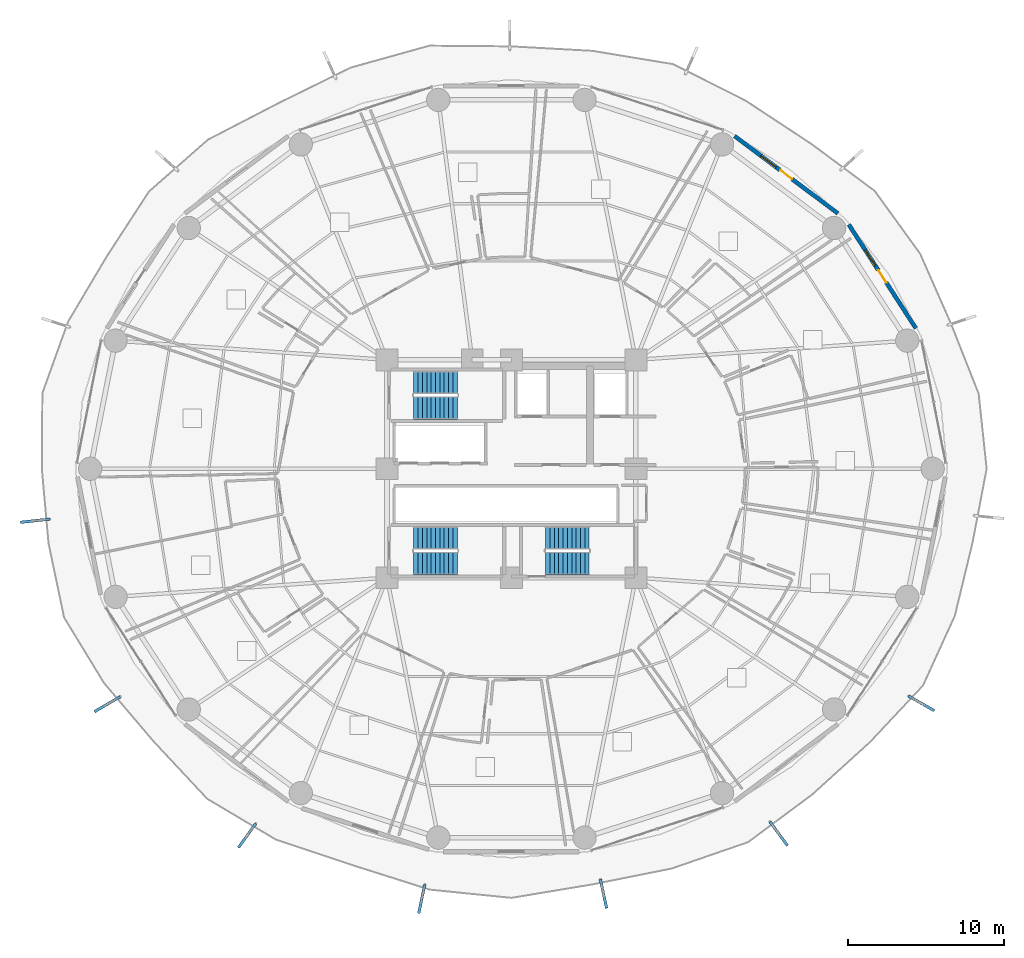
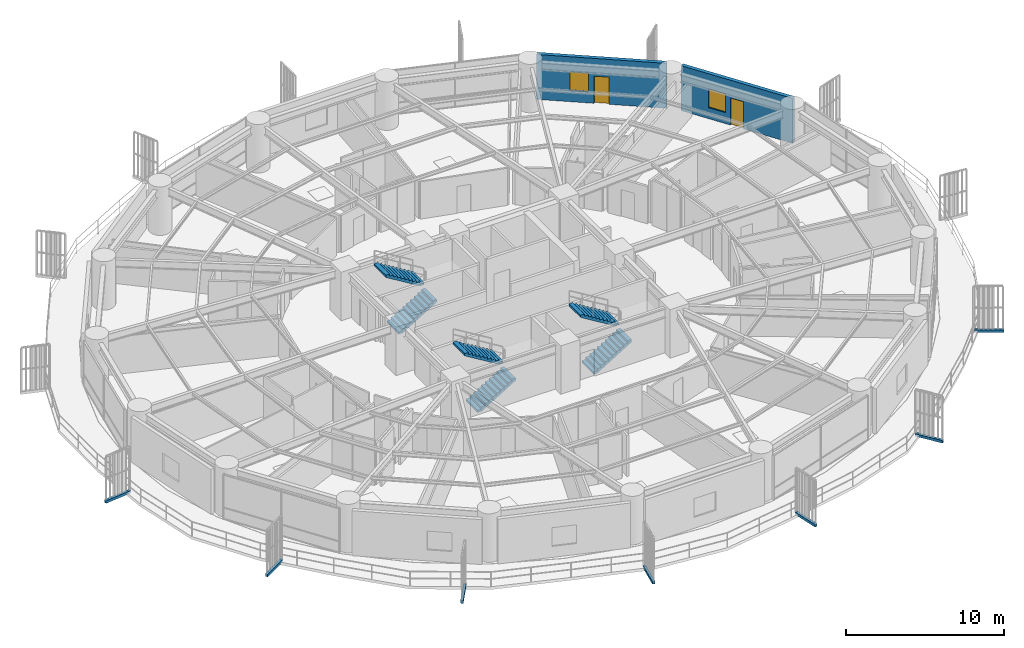
# One storey, part 27 of 33: 7 discrete accessories, 6 stair flights, 2 doors, 2 walls, 2 windows, 4 openings, 3 elements without a shape of their own.
"""IFC4 building model written with IfcOpenShell, lengths in metres."""

from ifc_helpers import new_model, si_unit, direction, frame, frame_2d, origin, origin_2d, place, context, subcontext, project, spatial, polyline, rectangle, outline, extrude, source, transform, mapped, material, layer, layer_set, type_object, element, fill, aggregate, save


model = new_model("IFC4")

# Units and contexts
model_context = context("Model", 3, precision=1e-05, world=origin(), true_north=direction((0.0, 1.0)))
body_context = subcontext(model_context, "Body", "Model", "MODEL_VIEW")
ifc_project = project(units=[si_unit("LENGTHUNIT", "METRE"), si_unit("AREAUNIT", "SQUARE_METRE"), si_unit("VOLUMEUNIT", "CUBIC_METRE"), si_unit("PLANEANGLEUNIT", "RADIAN"), si_unit("MASSUNIT", "GRAM", prefix="KILO")], contexts=[model_context])

# Site, building, storey
site_placement = place(None, origin())
site = spatial("IfcSite", under=ifc_project, at=site_placement, CompositionType="ELEMENT")
building_placement = place(site_placement, origin())
building = spatial("IfcBuilding", under=site, at=building_placement, Name="Kelanora Arch Commons", CompositionType="ELEMENT")
storey_placement = place(building_placement, frame((0.0, 0.0, 41.25)))
storey = spatial("IfcBuildingStorey", under=building, at=storey_placement, Name="L10", CompositionType="ELEMENT", Elevation=41.25)

# Wall, openings, door, window
ifc_material_1 = material(Name="Precast concrete C40/50 with terracotta rainscreen", Category="masonry")
ifc_layer = layer(ifc_material_1, 0.260009765625)
ifc_layer_set = layer_set([ifc_layer], Name="Precast concrete C40/50 with terracotta rainscreen")
wall_type = type_object("IfcWallType", Name="W-EXT-TC", PredefinedType="SOLIDWALL", material=ifc_layer_set)
wall_1_placement = place(storey_placement, frame((99.999267578125, 67.033203125, 0.0), z_axis=(0.0, 0.0, 1.0), x_axis=(-0.543005114258, 0.839729388488, 0.0)))
wall_1 = element("IfcWall", 1, at=wall_1_placement, inside=storey, type_object=wall_type, Name="Terracotta Exterior Wall L10-B01", PredefinedType="SOLIDWALL", context=body_context, shape_type="SweptSolid", body=[
    extrude(rectangle(XDim=7.9375, YDim=0.260009765625, at=frame_2d((3.96875, 0.0))), origin(), (0.0, 0.0, 1.0), 3.47509765625),
])
opening_1_placement = place(wall_1_placement, frame((3.493896484375, 0.0, 0.0)))
opening_1 = element("IfcOpeningElement", 2, at=opening_1_placement, cuts=wall_1, Name="Opening DB-01", PredefinedType="OPENING", context=body_context, shape_type="SweptSolid", body=[
    extrude(rectangle(XDim=0.949951171875, YDim=2.10009765625, at=frame_2d((0.47509765625, 1.050048828125))), frame((0.0, 0.14013671875, 0.0), z_axis=(0.0, -1.0, 0.0), x_axis=(1.0, 0.0, 0.0)), (0.0, 0.0, 1.0), 0.280029296875),
])
opening_2_placement = place(wall_1_placement, frame((4.7939453125, 0.0, 0.85009765625)))
opening_2 = element("IfcOpeningElement", 3, at=opening_2_placement, cuts=wall_1, Name="Opening WN-02", PredefinedType="OPENING", context=body_context, shape_type="SweptSolid", body=[
    extrude(rectangle(XDim=1.199951171875, YDim=1.449951171875, at=frame_2d((0.60009765625, 0.72509765625))), frame((0.0, 0.14013671875, 0.0), z_axis=(0.0, -1.0, 0.0), x_axis=(1.0, 0.0, 0.0)), (0.0, 0.0, 1.0), 0.280029296875),
])
ifc_material_2 = material(Name="Terracotta-aluminium thermally broken glazed balcony door", Category="masonry")
door_type = type_object("IfcDoorType", Name="D-BAL-10", OperationType="NOTDEFINED", PredefinedType="DOOR", material=ifc_material_2)
door_1_placement = place(opening_1_placement, frame((0.949951171875, 0.0, 0.0), z_axis=(0.0, 0.0, 1.0), x_axis=(-1.0, 0.0, 0.0)))
door_1 = element("IfcDoor", 4, at=door_1_placement, inside=storey, type_object=door_type, Name="Wave Balcony Door L10-B01", OperationType="SINGLE_SWING_RIGHT", OverallHeight=2.10009765625, OverallWidth=0.949951171875, PredefinedType="DOOR", context=body_context, shape_type="SweptSolid", body=[
    extrude(rectangle(XDim=0.949951171875, YDim=2.10009765625, at=frame_2d((0.47509765625, 1.050048828125))), frame((0.0, 0.02490234375, 0.0), z_axis=(0.0, -1.0, 0.0), x_axis=(1.0, 0.0, 0.0)), (0.0, 0.0, 1.0), 0.050048828125),
])
fill(opening_1, door_1)
ifc_material_3 = material(Name="Terracotta-anodised aluminium frame with operable awning sash", Category="masonry")
window_type = type_object("IfcWindowType", Name="WIN-CL-12", PartitioningType="SINGLE_PANEL", PredefinedType="WINDOW", material=ifc_material_3)
window_1_placement = place(opening_2_placement, origin())
window_1 = element("IfcWindow", 5, at=window_1_placement, inside=storey, type_object=window_type, Name="Co-Living Operable Window L10-B01", OverallHeight=1.449951171875, OverallWidth=1.199951171875, PartitioningType="SINGLE_PANEL", PredefinedType="WINDOW", context=body_context, shape_type="SweptSolid", body=[
    extrude(rectangle(XDim=1.199951171875, YDim=1.449951171875, at=frame_2d((0.60009765625, 0.72509765625))), frame((0.0, 0.030029296875, 0.0), z_axis=(0.0, -1.0, 0.0), x_axis=(1.0, 0.0, 0.0)), (0.0, 0.0, 1.0), 0.06005859375),
])
fill(opening_2, window_1)

wall_2_placement = place(storey_placement, frame((94.98388671875, 74.418212890625, 0.0), z_axis=(0.0, 0.0, 1.0), x_axis=(-0.80030733173, 0.599590005569, 0.0)))
wall_2 = element("IfcWall", 6, at=wall_2_placement, inside=storey, type_object=wall_type, Name="Terracotta Exterior Wall L10-B02", PredefinedType="SOLIDWALL", context=body_context, shape_type="SweptSolid", body=[
    extrude(rectangle(XDim=8.29052734375, YDim=0.260009765625, at=frame_2d((4.145263671875, 0.0))), origin(), (0.0, 0.0, 1.0), 3.47509765625),
])
opening_3_placement = place(wall_2_placement, frame((3.669921875, 0.0, 0.0)))
opening_3 = element("IfcOpeningElement", 7, at=opening_3_placement, cuts=wall_2, Name="Opening DB-01", PredefinedType="OPENING", context=body_context, shape_type="SweptSolid", body=[
    extrude(rectangle(XDim=0.949951171875, YDim=2.10009765625, at=frame_2d((0.47509765625, 1.050048828125))), frame((0.0, 0.14013671875, 0.0), z_axis=(0.0, -1.0, 0.0), x_axis=(1.0, 0.0, 0.0)), (0.0, 0.0, 1.0), 0.280029296875),
])
opening_4_placement = place(wall_2_placement, frame((4.969970703125, 0.0, 0.85009765625)))
opening_4 = element("IfcOpeningElement", 8, at=opening_4_placement, cuts=wall_2, Name="Opening WN-02", PredefinedType="OPENING", context=body_context, shape_type="SweptSolid", body=[
    extrude(rectangle(XDim=1.199951171875, YDim=1.449951171875, at=frame_2d((0.60009765625, 0.72509765625))), frame((0.0, 0.14013671875, 0.0), z_axis=(0.0, -1.0, 0.0), x_axis=(1.0, 0.0, 0.0)), (0.0, 0.0, 1.0), 0.280029296875),
])
door_2_placement = place(opening_3_placement, frame((0.949951171875, 0.0, 0.0), z_axis=(0.0, 0.0, 1.0), x_axis=(-1.0, 0.0, 0.0)))
door_2 = element("IfcDoor", 9, at=door_2_placement, inside=storey, type_object=door_type, Name="Wave Balcony Door L10-B02", OperationType="SINGLE_SWING_LEFT", OverallHeight=2.10009765625, OverallWidth=0.949951171875, PredefinedType="DOOR", context=body_context, shape_type="SweptSolid", body=[
    extrude(rectangle(XDim=0.949951171875, YDim=2.10009765625, at=frame_2d((0.47509765625, 1.050048828125))), frame((0.0, 0.02490234375, 0.0), z_axis=(0.0, -1.0, 0.0), x_axis=(1.0, 0.0, 0.0)), (0.0, 0.0, 1.0), 0.050048828125),
])
fill(opening_3, door_2)
window_2_placement = place(opening_4_placement, origin())
window_2 = element("IfcWindow", 10, at=window_2_placement, inside=storey, type_object=window_type, Name="Co-Living Operable Window L10-B02", OverallHeight=1.449951171875, OverallWidth=1.199951171875, PartitioningType="SINGLE_PANEL", PredefinedType="WINDOW", context=body_context, shape_type="SweptSolid", body=[
    extrude(rectangle(XDim=1.199951171875, YDim=1.449951171875, at=frame_2d((0.60009765625, 0.72509765625))), frame((0.0, 0.030029296875, 0.0), z_axis=(0.0, -1.0, 0.0), x_axis=(1.0, 0.0, 0.0)), (0.0, 0.0, 1.0), 0.06005859375),
])
fill(opening_4, window_2)

# Stair, stair flights
ifc_material_4 = material(Name="Concrete C40/50", Category="concrete")
stair_type = type_object("IfcStairType", Name="STR-DL-375", PredefinedType="HALF_TURN_STAIR", material=ifc_material_4)
stair_1_placement = place(storey_placement, origin())
stair_1 = element("IfcStair", 11, at=stair_1_placement, inside=storey, type_object=stair_type, Name="L10 ST-T1", PredefinedType="HALF_TURN_STAIR")
stair_flight_type = type_object("IfcStairFlightType", Name="FLT-DL-375", PredefinedType="STRAIGHT", material=ifc_material_4)
stair_flight_1_placement = place(storey_placement, frame((67.719970703125, 61.919921875, 0.0), z_axis=(0.0, 0.0, 1.0), x_axis=(1.0, 0.0, 0.0)))
stair_flight_1 = element("IfcStairFlight", 12, at=stair_flight_1_placement, type_object=stair_flight_type, Name="ST-T1 flight 1", NumberOfRisers=11, NumberOfTreads=10, PredefinedType="STRAIGHT", RiserHeight=0.170454545, TreadLength=0.28, context=body_context, shape_type="SweptSolid", body=[
    extrude(outline(polyline([(0.0, 0.0), (0.0, 0.17041015625), (0.280029296875, 0.17041015625), (0.280029296875, 0.3408203125), (0.56005859375, 0.3408203125), (0.56005859375, 0.511474609375), (0.840087890625, 0.511474609375), (0.840087890625, 0.681884765625), (1.1201171875, 0.681884765625), (1.1201171875, 0.852294921875), (1.39990234375, 0.852294921875), (1.39990234375, 1.022705078125), (1.679931640625, 1.022705078125), (1.679931640625, 1.193115234375), (1.9599609375, 1.193115234375), (1.9599609375, 1.363525390625), (2.239990234375, 1.363525390625), (2.239990234375, 1.5341796875), (2.52001953125, 1.5341796875), (2.52001953125, 1.70458984375), (2.800048828125, 1.70458984375), (2.800048828125, 1.875), (2.800048828125, 1.529052734375), (0.288330078125, 0.0), (0.0, 0.0)])), frame((0.0, 0.739990234375, 0.0), z_axis=(0.0, -1.0, 0.0), x_axis=(1.0, 0.0, 0.0)), (0.0, 0.0, 1.0), 1.47998046875),
])
stair_flight_2_placement = place(storey_placement, frame((70.52001953125, 63.550048828125, 1.875), z_axis=(0.0, 0.0, 1.0), x_axis=(-1.0, 0.0, 0.0)))
stair_flight_2 = element("IfcStairFlight", 13, at=stair_flight_2_placement, type_object=stair_flight_type, Name="ST-T1 flight 2", NumberOfRisers=11, NumberOfTreads=10, PredefinedType="STRAIGHT", RiserHeight=0.170454545, TreadLength=0.28, context=body_context, shape_type="SweptSolid", body=[
    extrude(outline(polyline([(0.0, 0.0), (0.0, 0.17041015625), (0.280029296875, 0.17041015625), (0.280029296875, 0.3408203125), (0.56005859375, 0.3408203125), (0.56005859375, 0.511474609375), (0.840087890625, 0.511474609375), (0.840087890625, 0.681884765625), (1.1201171875, 0.681884765625), (1.1201171875, 0.852294921875), (1.39990234375, 0.852294921875), (1.39990234375, 1.022705078125), (1.679931640625, 1.022705078125), (1.679931640625, 1.193115234375), (1.9599609375, 1.193115234375), (1.9599609375, 1.363525390625), (2.239990234375, 1.363525390625), (2.239990234375, 1.5341796875), (2.52001953125, 1.5341796875), (2.52001953125, 1.70458984375), (2.800048828125, 1.70458984375), (2.800048828125, 1.875), (2.800048828125, 1.529052734375), (0.288330078125, 0.0), (0.0, 0.0)])), frame((0.0, 0.739990234375, 0.0), z_axis=(0.0, -1.0, 0.0), x_axis=(1.0, 0.0, 0.0)), (0.0, 0.0, 1.0), 1.47998046875),
])
aggregate(stair_1, [stair_flight_1, stair_flight_2])

stair_2_placement = place(storey_placement, origin())
stair_2 = element("IfcStair", 14, at=stair_2_placement, inside=storey, type_object=stair_type, Name="L10 ST-T2", PredefinedType="HALF_TURN_STAIR")
stair_flight_3_placement = place(storey_placement, frame((76.199951171875, 51.919921875, 0.0), z_axis=(0.0, 0.0, 1.0), x_axis=(1.0, 0.0, 0.0)))
stair_flight_3 = element("IfcStairFlight", 15, at=stair_flight_3_placement, type_object=stair_flight_type, Name="ST-T2 flight 1", NumberOfRisers=11, NumberOfTreads=10, PredefinedType="STRAIGHT", RiserHeight=0.170454545, TreadLength=0.28, context=body_context, shape_type="SweptSolid", body=[
    extrude(outline(polyline([(0.0, 0.0), (0.0, 0.17041015625), (0.280029296875, 0.17041015625), (0.280029296875, 0.3408203125), (0.56005859375, 0.3408203125), (0.56005859375, 0.511474609375), (0.840087890625, 0.511474609375), (0.840087890625, 0.681884765625), (1.1201171875, 0.681884765625), (1.1201171875, 0.852294921875), (1.39990234375, 0.852294921875), (1.39990234375, 1.022705078125), (1.679931640625, 1.022705078125), (1.679931640625, 1.193115234375), (1.9599609375, 1.193115234375), (1.9599609375, 1.363525390625), (2.239990234375, 1.363525390625), (2.239990234375, 1.5341796875), (2.52001953125, 1.5341796875), (2.52001953125, 1.70458984375), (2.800048828125, 1.70458984375), (2.800048828125, 1.875), (2.800048828125, 1.529052734375), (0.288330078125, 0.0), (0.0, 0.0)])), frame((0.0, 0.739990234375, 0.0), z_axis=(0.0, -1.0, 0.0), x_axis=(1.0, 0.0, 0.0)), (0.0, 0.0, 1.0), 1.47998046875),
])
stair_flight_4_placement = place(storey_placement, frame((79.0, 53.550048828125, 1.875), z_axis=(0.0, 0.0, 1.0), x_axis=(-1.0, 0.0, 0.0)))
stair_flight_4 = element("IfcStairFlight", 16, at=stair_flight_4_placement, type_object=stair_flight_type, Name="ST-T2 flight 2", NumberOfRisers=11, NumberOfTreads=10, PredefinedType="STRAIGHT", RiserHeight=0.170454545, TreadLength=0.28, context=body_context, shape_type="SweptSolid", body=[
    extrude(outline(polyline([(0.0, 0.0), (0.0, 0.17041015625), (0.280029296875, 0.17041015625), (0.280029296875, 0.3408203125), (0.56005859375, 0.3408203125), (0.56005859375, 0.511474609375), (0.840087890625, 0.511474609375), (0.840087890625, 0.681884765625), (1.1201171875, 0.681884765625), (1.1201171875, 0.852294921875), (1.39990234375, 0.852294921875), (1.39990234375, 1.022705078125), (1.679931640625, 1.022705078125), (1.679931640625, 1.193115234375), (1.9599609375, 1.193115234375), (1.9599609375, 1.363525390625), (2.239990234375, 1.363525390625), (2.239990234375, 1.5341796875), (2.52001953125, 1.5341796875), (2.52001953125, 1.70458984375), (2.800048828125, 1.70458984375), (2.800048828125, 1.875), (2.800048828125, 1.529052734375), (0.288330078125, 0.0), (0.0, 0.0)])), frame((0.0, 0.739990234375, 0.0), z_axis=(0.0, -1.0, 0.0), x_axis=(1.0, 0.0, 0.0)), (0.0, 0.0, 1.0), 1.47998046875),
])
aggregate(stair_2, [stair_flight_3, stair_flight_4])

stair_3_placement = place(storey_placement, origin())
stair_3 = element("IfcStair", 17, at=stair_3_placement, inside=storey, type_object=stair_type, Name="L10 ST-T3", PredefinedType="HALF_TURN_STAIR")
stair_flight_5_placement = place(storey_placement, frame((67.719970703125, 51.919921875, 0.0), z_axis=(0.0, 0.0, 1.0), x_axis=(1.0, 0.0, 0.0)))
stair_flight_5 = element("IfcStairFlight", 18, at=stair_flight_5_placement, type_object=stair_flight_type, Name="ST-T3 flight 1", NumberOfRisers=11, NumberOfTreads=10, PredefinedType="STRAIGHT", RiserHeight=0.170454545, TreadLength=0.28, context=body_context, shape_type="SweptSolid", body=[
    extrude(outline(polyline([(0.0, 0.0), (0.0, 0.17041015625), (0.280029296875, 0.17041015625), (0.280029296875, 0.3408203125), (0.56005859375, 0.3408203125), (0.56005859375, 0.511474609375), (0.840087890625, 0.511474609375), (0.840087890625, 0.681884765625), (1.1201171875, 0.681884765625), (1.1201171875, 0.852294921875), (1.39990234375, 0.852294921875), (1.39990234375, 1.022705078125), (1.679931640625, 1.022705078125), (1.679931640625, 1.193115234375), (1.9599609375, 1.193115234375), (1.9599609375, 1.363525390625), (2.239990234375, 1.363525390625), (2.239990234375, 1.5341796875), (2.52001953125, 1.5341796875), (2.52001953125, 1.70458984375), (2.800048828125, 1.70458984375), (2.800048828125, 1.875), (2.800048828125, 1.529052734375), (0.288330078125, 0.0), (0.0, 0.0)])), frame((0.0, 0.739990234375, 0.0), z_axis=(0.0, -1.0, 0.0), x_axis=(1.0, 0.0, 0.0)), (0.0, 0.0, 1.0), 1.47998046875),
])
stair_flight_6_placement = place(storey_placement, frame((70.52001953125, 53.550048828125, 1.875), z_axis=(0.0, 0.0, 1.0), x_axis=(-1.0, 0.0, 0.0)))
stair_flight_6 = element("IfcStairFlight", 19, at=stair_flight_6_placement, type_object=stair_flight_type, Name="ST-T3 flight 2", NumberOfRisers=11, NumberOfTreads=10, PredefinedType="STRAIGHT", RiserHeight=0.170454545, TreadLength=0.28, context=body_context, shape_type="SweptSolid", body=[
    extrude(outline(polyline([(0.0, 0.0), (0.0, 0.17041015625), (0.280029296875, 0.17041015625), (0.280029296875, 0.3408203125), (0.56005859375, 0.3408203125), (0.56005859375, 0.511474609375), (0.840087890625, 0.511474609375), (0.840087890625, 0.681884765625), (1.1201171875, 0.681884765625), (1.1201171875, 0.852294921875), (1.39990234375, 0.852294921875), (1.39990234375, 1.022705078125), (1.679931640625, 1.022705078125), (1.679931640625, 1.193115234375), (1.9599609375, 1.193115234375), (1.9599609375, 1.363525390625), (2.239990234375, 1.363525390625), (2.239990234375, 1.5341796875), (2.52001953125, 1.5341796875), (2.52001953125, 1.70458984375), (2.800048828125, 1.70458984375), (2.800048828125, 1.875), (2.800048828125, 1.529052734375), (0.288330078125, 0.0), (0.0, 0.0)])), frame((0.0, 0.739990234375, 0.0), z_axis=(0.0, -1.0, 0.0), x_axis=(1.0, 0.0, 0.0)), (0.0, 0.0, 1.0), 1.47998046875),
])
aggregate(stair_3, [stair_flight_5, stair_flight_6])

# Discrete accessories
ifc_material_5 = material(Name="Stainless steel 316 marine fin bracket", Category="steel")
discrete_accessory_type = type_object("IfcDiscreteAccessoryType", Name="ACC-FIN-BRK", PredefinedType="BRACKET", material=ifc_material_5)
shared_shape = source(origin(), body_context, "Body", "SweptSolid", [
    extrude(rectangle(XDim=1.902587890625, YDim=0.179931640625, at=origin_2d()), origin(), (0.0, 0.0, 1.0), 0.199951171875),
])
for number, where, z_axis, x_axis, name in (
    (20, (43.373046875, 54.660400390625, -0.16015625), (0.0, 0.0, 1.0), (-0.994113204519, -0.108346373271, 0.0), "Sweeping Fin Cantilever Spine Bracket L10-07"),
    (21, (48.0205078125, 42.865478515625, -0.16015625), (0.0, 0.0, 1.0), (-0.864099162217, -0.503321604797, 0.0), "Sweeping Fin Cantilever Spine Bracket L10-08"),
    (22, (57.004638671875, 34.415283203125, -0.16015625), (0.0, 0.0, 1.0), (-0.584674524674, -0.811267958321, 0.0), "Sweeping Fin Cantilever Spine Bracket L10-09"),
    (23, (68.23388671875, 30.343505859375, -0.16015625), (0.0, 0.0, 1.0), (-0.204154350213, -0.978938711712, 0.0), "Sweeping Fin Cantilever Spine Bracket L10-10"),
    (24, (79.919189453125, 30.675537109375, -0.16015625), (0.0, 0.0, 1.0), (0.211665966084, -0.97734206847, 0.0), "Sweeping Fin Cantilever Spine Bracket L10-11"),
    (25, (91.179443359375, 34.547119140625, -0.16015625), (0.0, 0.0, 1.0), (0.59088731392, -0.806754102716, 0.0), "Sweeping Fin Cantilever Spine Bracket L10-12"),
    (26, (100.35888671875, 42.918212890625, -0.16015625), (0.0, 0.0, 1.0), (0.867938877136, -0.49667102347, 0.0), "Sweeping Fin Cantilever Spine Bracket L10-13"),
):
    element("IfcDiscreteAccessory", number, at=place(storey_placement, frame(where, z_axis=z_axis, x_axis=x_axis)), inside=storey, type_object=discrete_accessory_type, Name=name, PredefinedType="BRACKET", context=body_context, shape_type="MappedRepresentation", body=[
        mapped(shared_shape, transform((0.0, 0.0, 0.0), scale=1.0)),
    ])

save(model, "model.ifc")
